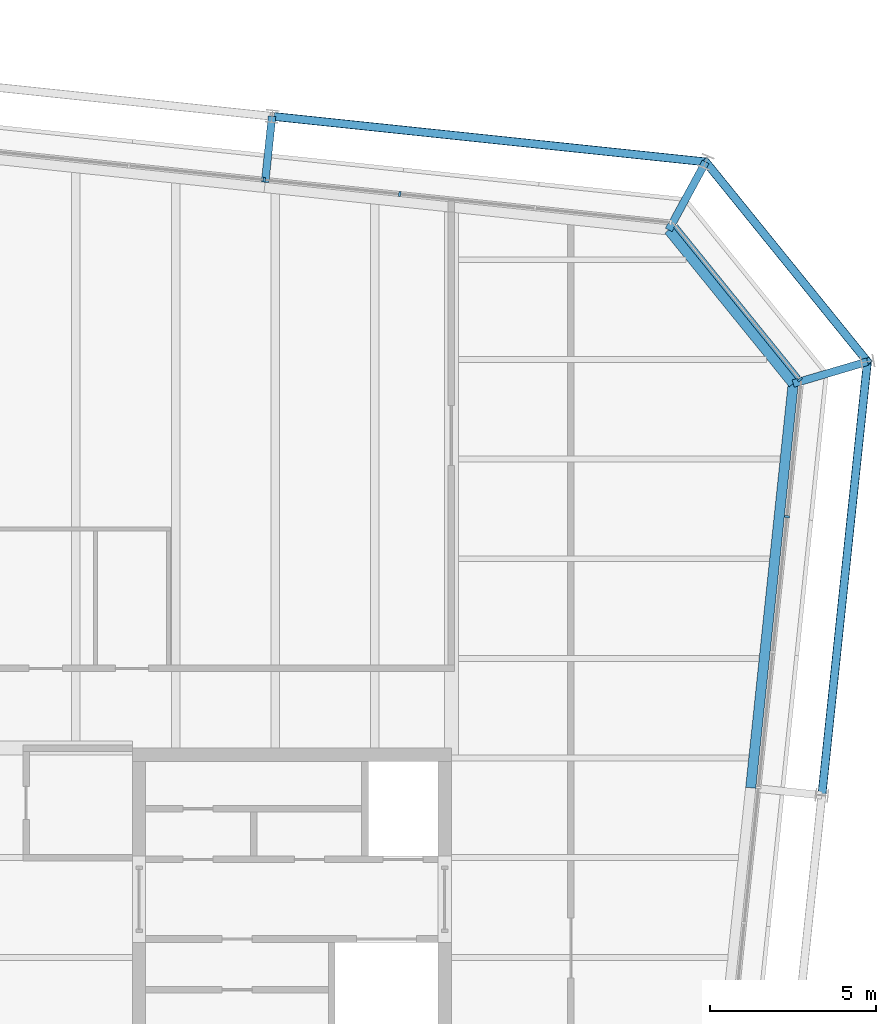
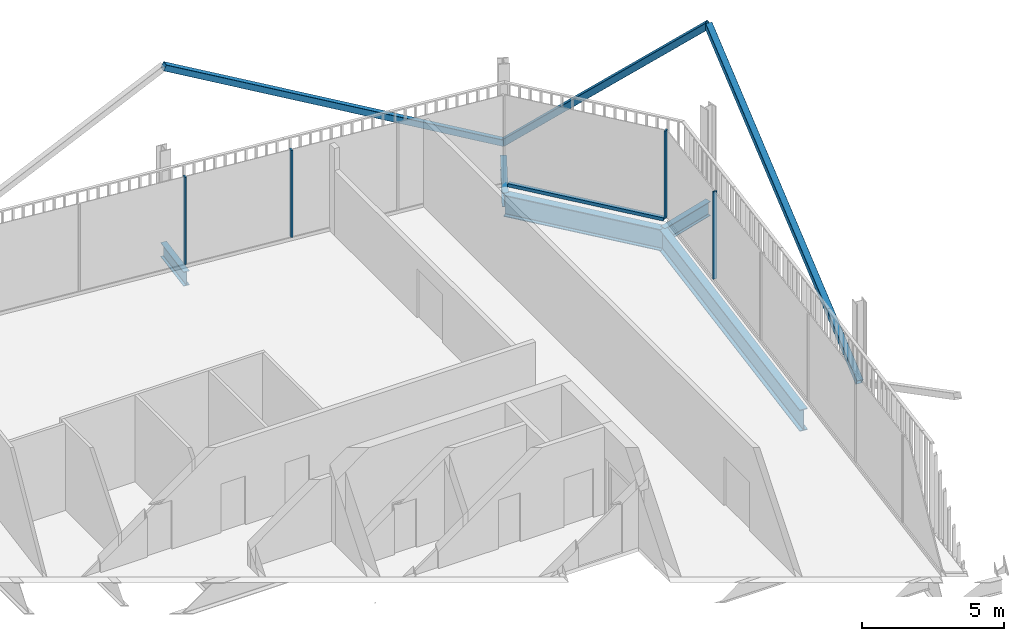
# One storey, part 15 of 21: 8 members, 5 beams, 3 elements without a shape of their own.
"""IFC4 building model written with IfcOpenShell, lengths in metres."""

from ifc_helpers import new_model, si_unit, direction, frame, origin, origin_2d, place, context, subcontext, project, spatial, rectangle, hollow_rectangle, i_section, extrude, material, layer, layer_set, material_profile, profile_set, type_object, element, aggregate, save


model = new_model("IFC4")

# Units and contexts
model_context = context("Model", 3, precision=1e-05, world=origin(), true_north=direction((0.0, 1.0)))
body_context = subcontext(model_context, "Body", "Model", "MODEL_VIEW")
ifc_project = project(units=[si_unit("LENGTHUNIT", "METRE"), si_unit("AREAUNIT", "SQUARE_METRE"), si_unit("VOLUMEUNIT", "CUBIC_METRE"), si_unit("PLANEANGLEUNIT", "RADIAN"), si_unit("MASSUNIT", "GRAM", prefix="KILO")], contexts=[model_context])

# Site, building, storey
site_placement = place(None, origin())
site = spatial("IfcSite", under=ifc_project, at=site_placement, CompositionType="ELEMENT")
building_placement = place(site_placement, origin())
building = spatial("IfcBuilding", under=site, at=building_placement, Name="Millrace Tower", CompositionType="ELEMENT")
storey_placement = place(building_placement, frame((0.0, 0.0, 318.699951171875)))
storey = spatial("IfcBuildingStorey", under=building, at=storey_placement, Name="L73", CompositionType="ELEMENT", Elevation=318.699951171875)

# Curtain wall, member
ifc_material_1 = material(Name="Aluminium and glass", Category="aluminium")
ifc_layer = layer(ifc_material_1, 0.14990234375)
ifc_layer_set = layer_set([ifc_layer], Name="Aluminium and glass")
curtain_wall_type = type_object("IfcCurtainWallType", Name="CW-1 office vision curtain wall", PredefinedType="NOTDEFINED", material=ifc_layer_set)
placement = place(storey_placement, origin())
curtain_wall_1 = element("IfcCurtainWall", 1, at=placement, inside=storey, type_object=curtain_wall_type, Name="Curtain wall E-F04 L73", PredefinedType="NOTDEFINED")
ifc_material_2 = material(Name="Aluminium", Category="aluminium")
ifc_material_profile_1 = material_profile(ifc_material_2, rectangle(XDim=0.06494140625, YDim=0.14990234375, at=origin_2d()))
ifc_profile_set_1 = profile_set([ifc_material_profile_1], Name="Aluminium")
member_type_1 = type_object("IfcMemberType", Name="CW-1 office vision curtain wall mullion", PredefinedType="MULLION", material=ifc_profile_set_1)
member_1_placement = place(storey_placement, frame((24.4033203125, 16.267822265625, 0.14013671875), z_axis=(0.0, 0.0, 1.0), x_axis=(0.104528455196, 0.994521896217, 0.0)))
member_1 = element("IfcMember", 2, at=member_1_placement, type_object=member_type_1, Name="CW1 mullion E-F04.9", PredefinedType="MULLION", context=body_context, shape_type="SweptSolid", body=[
    extrude(rectangle(XDim=0.06494140625, YDim=0.14990234375, at=origin_2d()), origin(), (0.0, 0.0, 1.0), 3.760009765625),
])
aggregate(curtain_wall_1, [member_1])

curtain_wall_2 = element("IfcCurtainWall", 3, at=placement, inside=storey, type_object=curtain_wall_type, Name="Curtain wall E-F05 L73", PredefinedType="NOTDEFINED")
member_2_placement = place(storey_placement, frame((24.791748046875, 20.393310546875, 0.14013671875), z_axis=(0.0, 0.0, 1.0), x_axis=(-0.629320278945, 0.777146052237, 0.0)))
member_2 = element("IfcMember", 4, at=member_2_placement, type_object=member_type_1, Name="CW1 mullion E-F05.1", PredefinedType="MULLION", context=body_context, shape_type="SweptSolid", body=[
    extrude(rectangle(XDim=0.06494140625, YDim=0.14990234375, at=origin_2d()), origin(), (0.0, 0.0, 1.0), 3.760009765625),
])

# Curtain wall, members
curtain_wall_3 = element("IfcCurtainWall", 5, at=placement, inside=storey, type_object=curtain_wall_type, Name="Curtain wall E-F06 L73", PredefinedType="NOTDEFINED")
member_3_placement = place(storey_placement, frame((12.747314453125, 25.98193359375, 0.14013671875), z_axis=(0.0, 0.0, 1.0), x_axis=(-0.994521896217, 0.104528455196, 0.0)))
member_3 = element("IfcMember", 6, at=member_3_placement, type_object=member_type_1, Name="CW1 mullion E-F06.3", PredefinedType="MULLION", context=body_context, shape_type="SweptSolid", body=[
    extrude(rectangle(XDim=0.06494140625, YDim=0.14990234375, at=origin_2d()), origin(), (0.0, 0.0, 1.0), 3.760009765625),
])
member_4_placement = place(storey_placement, frame((8.669921875, 26.410400390625, 0.14013671875), z_axis=(0.0, 0.0, 1.0), x_axis=(-0.994521896217, 0.104528455196, 0.0)))
member_4 = element("IfcMember", 7, at=member_4_placement, type_object=member_type_1, Name="CW1 mullion E-F06.4", PredefinedType="MULLION", context=body_context, shape_type="SweptSolid", body=[
    extrude(rectangle(XDim=0.06494140625, YDim=0.14990234375, at=origin_2d()), origin(), (0.0, 0.0, 1.0), 3.760009765625),
])
aggregate(curtain_wall_3, [member_3, member_4])

# Member
ifc_material_3 = material(Name="Aluminium", Category="aluminium")
ifc_material_profile_2 = material_profile(ifc_material_3, rectangle(XDim=0.14990234375, YDim=0.139892578125, at=origin_2d()))
ifc_profile_set_2 = profile_set([ifc_material_profile_2], Name="Aluminium")
member_type_2 = type_object("IfcMemberType", Name="CW-1 office vision curtain wall transom", PredefinedType="USERDEFINED", material=ifc_profile_set_2)
member_5_placement = place(storey_placement, frame((24.749267578125, 20.44580078125, 0.070068359375), z_axis=(-0.629321221277, 0.777145289151, 0.0), x_axis=(-0.777145289151, -0.629321221277, 0.0)))
member_5 = element("IfcMember", 8, at=member_5_placement, type_object=member_type_2, Name="CW1 transom E-F05.1", ObjectType="TRANSOM", PredefinedType="USERDEFINED", context=body_context, shape_type="SweptSolid", body=[
    extrude(rectangle(XDim=0.14990234375, YDim=0.139892578125, at=origin_2d()), origin(), (0.0, 0.0, 1.0), 5.881103515625),
])

aggregate(curtain_wall_2, [member_2, member_5])

# Members
ifc_material_4 = material(Name="Steel ASTM A500 Grade C", Category="steel")
ifc_material_profile_3 = material_profile(ifc_material_4, hollow_rectangle(XDim=0.25390625, YDim=0.25390625, WallThickness=0.009521484375, InnerFilletRadius=0.004638671875, OuterFilletRadius=0.014404296875, at=origin_2d()))
ifc_profile_set_3 = profile_set([ifc_material_profile_3], Name="Steel ASTM A500 Grade C")
member_type_3 = type_object("IfcMemberType", Name="Exoskeleton brace HSS10x10x3/8", PredefinedType="BRACE", material=ifc_profile_set_3)
member_6_placement = place(storey_placement, frame((25.457275390625, 7.879150390625, 0.400146484375), z_axis=(0.092236950483, 0.877571982182, 0.470488853274), x_axis=(-0.994521846076, 0.104528932251, 0.0)))
element("IfcMember", 9, at=member_6_placement, inside=storey, type_object=member_type_3, Name="BRC-E-L73-08", PredefinedType="BRACE", context=body_context, shape_type="SweptSolid", body=[
    extrude(hollow_rectangle(XDim=0.25390625, YDim=0.25390625, WallThickness=0.009521484375, InnerFilletRadius=0.004638671875, OuterFilletRadius=0.014404296875, at=origin_2d()), origin(), (0.0, 0.0, 1.0), 14.878173828125),
])
member_7_placement = place(storey_placement, frame((21.9599609375, 26.94921875, 0.400146484375), z_axis=(0.466694392708, -0.57631352586, 0.670864415308), x_axis=(0.777142728993, 0.62932438279, 0.0)))
element("IfcMember", 10, at=member_7_placement, inside=storey, type_object=member_type_3, Name="BRC-E-L73-09", PredefinedType="BRACE", context=body_context, shape_type="SweptSolid", body=[
    extrude(hollow_rectangle(XDim=0.25390625, YDim=0.25390625, WallThickness=0.009521484375, InnerFilletRadius=0.004638671875, OuterFilletRadius=0.014404296875, at=origin_2d()), origin(), (0.0, 0.0, 1.0), 10.434326171875),
])
member_8_placement = place(storey_placement, frame((21.9599609375, 26.94921875, 0.400146484375), z_axis=(-0.877571982182, 0.092236950483, 0.470488853274), x_axis=(-0.104528932251, -0.994521846076, 0.0)))
element("IfcMember", 11, at=member_8_placement, inside=storey, type_object=member_type_3, Name="BRC-E-L73-10", PredefinedType="BRACE", context=body_context, shape_type="SweptSolid", body=[
    extrude(hollow_rectangle(XDim=0.25390625, YDim=0.25390625, WallThickness=0.009521484375, InnerFilletRadius=0.004638671875, OuterFilletRadius=0.014404296875, at=origin_2d()), origin(), (0.0, 0.0, 1.0), 14.878173828125),
])

# Beams
ifc_material_5 = material(Name="Steel ASTM A992 Grade 50", Category="steel")
ifc_material_profile_4 = material_profile(ifc_material_5, i_section(OverallWidth=0.23046875, OverallDepth=0.6171875, WebThickness=0.01318359375, FlangeThickness=0.022216796875, FilletRadius=0.012939453125, at=origin_2d()))
ifc_profile_set_4 = profile_set([ifc_material_profile_4], Name="Steel ASTM A992 Grade 50")
beam_type_1 = type_object("IfcBeamType", Name="Link beam W24x94", PredefinedType="BEAM", material=ifc_profile_set_4)
beam_1_placement = place(storey_placement, frame((8.6943359375, 26.33251953125, -0.468505859375), z_axis=(0.104494148666, 0.99452550138, 0.0), x_axis=(-0.99452550138, 0.104494148666, 0.0)))
element("IfcBeam", 12, at=beam_1_placement, inside=storey, type_object=beam_type_1, Name="LNK-E-L73-S1-07", PredefinedType="BEAM", context=body_context, shape_type="SweptSolid", body=[
    extrude(i_section(OverallWidth=0.23046875, OverallDepth=0.6171875, WebThickness=0.01318359375, FlangeThickness=0.022216796875, FilletRadius=0.012939453125, at=origin_2d()), origin(), (0.0, 0.0, 1.0), 2.0),
])
for number, where, z_axis, x_axis, name in (
    (13, (20.84765625, 24.900634765625, -0.468505859375), (0.477163510307, 0.87881453358, 0.0), (-0.87881453358, 0.477163510307, 0.0), "LNK-E-L73-S1-08"),
    (14, (24.594482421875, 20.273681640625, -0.468505859375), (0.958815015936, 0.284031275065, 0.0), (-0.284031275065, 0.958815015936, 0.0), "LNK-E-L73-S1-09"),
):
    element("IfcBeam", number, at=place(storey_placement, frame(where, z_axis=z_axis, x_axis=x_axis)), inside=storey, type_object=beam_type_1, Name=name, PredefinedType="BEAM", context=body_context, shape_type="SweptSolid", body=[
        extrude(i_section(OverallWidth=0.23046875, OverallDepth=0.6171875, WebThickness=0.01318359375, FlangeThickness=0.022216796875, FilletRadius=0.012939453125, at=origin_2d()), origin(), (0.0, 0.0, 1.0), 2.3310546875),
    ])
ifc_material_6 = material(Name="Steel ASTM A992 Grade 50", Category="steel")
ifc_material_profile_5 = material_profile(ifc_material_6, i_section(OverallWidth=0.307373046875, OverallDepth=0.927001953125, WebThickness=0.01953125, FlangeThickness=0.031982421875, FilletRadius=0.01904296875, at=origin_2d()))
ifc_profile_set_5 = profile_set([ifc_material_profile_5], Name="Steel ASTM A992 Grade 50")
beam_type_2 = type_object("IfcBeamType", Name="Ring beam medium span W36x194", PredefinedType="SPANDREL", material=ifc_profile_set_5)
beam_2_placement = place(storey_placement, frame((24.594482421875, 20.273681640625, -0.62353515625), z_axis=(-0.104527955888, -0.994521948696, 0.0), x_axis=(0.994521948696, -0.104527955888, 0.0)))
element("IfcBeam", 15, at=beam_2_placement, inside=storey, type_object=beam_type_2, Name="RNG-E-L73-S1-09", PredefinedType="SPANDREL", context=body_context, shape_type="SweptSolid", body=[
    extrude(i_section(OverallWidth=0.307373046875, OverallDepth=0.927001953125, WebThickness=0.01953125, FlangeThickness=0.031982421875, FilletRadius=0.01904296875, at=origin_2d()), origin(), (0.0, 0.0, 1.0), 12.236572265625),
])
ifc_material_7 = material(Name="Steel ASTM A992 Grade 50", Category="steel")
ifc_material_profile_6 = material_profile(ifc_material_7, i_section(OverallWidth=0.307373046875, OverallDepth=0.927001953125, WebThickness=0.01953125, FlangeThickness=0.031982421875, FilletRadius=0.01904296875, at=origin_2d()))
ifc_profile_set_6 = profile_set([ifc_material_profile_6], Name="Steel ASTM A992 Grade 50")
beam_type_3 = type_object("IfcBeamType", Name="Ring beam short span W36x194", PredefinedType="SPANDREL", material=ifc_profile_set_6)
beam_3_placement = place(storey_placement, frame((20.84765625, 24.900634765625, -0.62353515625), z_axis=(0.629319722443, -0.777146502883, 0.0), x_axis=(0.777146502883, 0.629319722443, 0.0)))
element("IfcBeam", 16, at=beam_3_placement, inside=storey, type_object=beam_type_3, Name="RNG-E-L73-S1-08", PredefinedType="SPANDREL", context=body_context, shape_type="SweptSolid", body=[
    extrude(i_section(OverallWidth=0.307373046875, OverallDepth=0.927001953125, WebThickness=0.01953125, FlangeThickness=0.031982421875, FilletRadius=0.01904296875, at=origin_2d()), origin(), (0.0, 0.0, 1.0), 5.953857421875),
])

save(model, "model.ifc")
